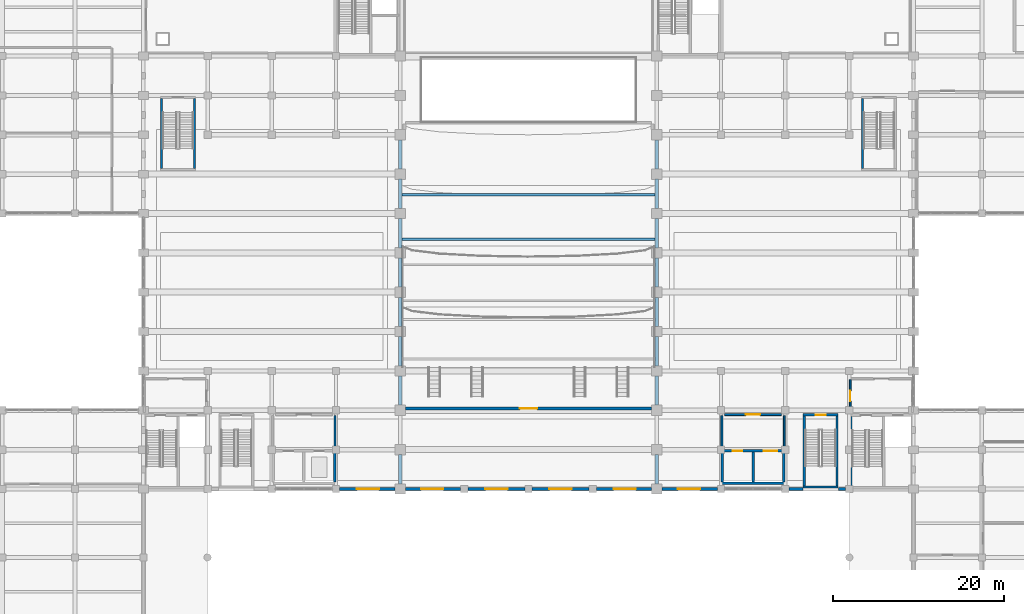
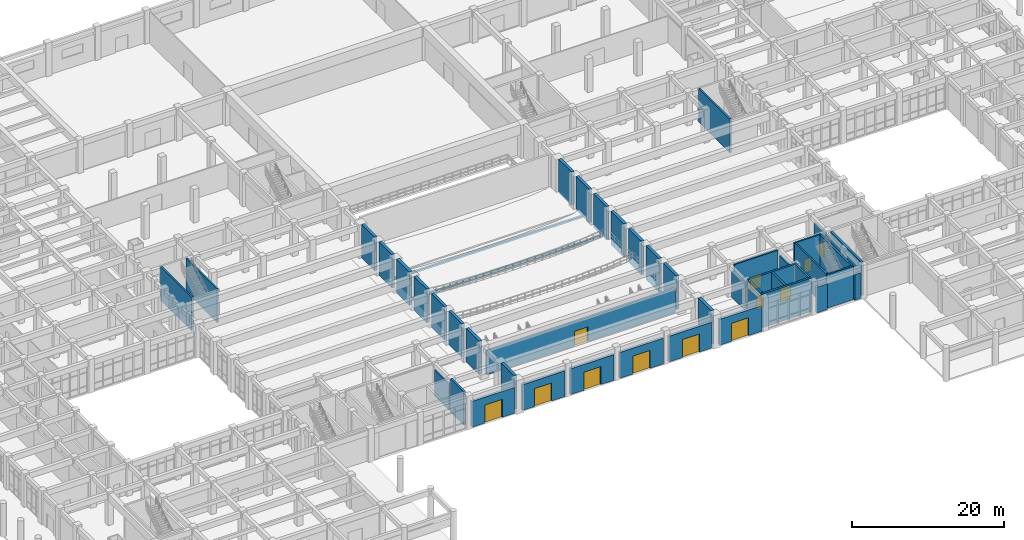
# One storey, part 64 of 84: 46 walls, 12 doors, 12 openings.
"""IFC4 building model written with IfcOpenShell, lengths in metres."""

from ifc_helpers import new_model, si_unit, direction, frame, frame_2d, origin, place, context, subcontext, project, spatial, rectangle, extrude, material, layer, layer_set, type_object, element, fill, save


model = new_model("IFC4")

# Units and contexts
model_context = context("Model", 3, precision=1e-05, world=origin(), true_north=direction((0.0, 1.0)))
body_context = subcontext(model_context, "Body", "Model", "MODEL_VIEW")
ifc_project = project(units=[si_unit("LENGTHUNIT", "METRE"), si_unit("AREAUNIT", "SQUARE_METRE"), si_unit("VOLUMEUNIT", "CUBIC_METRE"), si_unit("PLANEANGLEUNIT", "RADIAN"), si_unit("MASSUNIT", "GRAM", prefix="KILO")], contexts=[model_context])

# Site, building, storey
site_placement = place(None, origin())
site = spatial("IfcSite", under=ifc_project, at=site_placement, CompositionType="ELEMENT")
building_placement = place(site_placement, origin())
building = spatial("IfcBuilding", under=site, at=building_placement, Name="Muzn Square Opera House", CompositionType="ELEMENT")
storey_placement = place(building_placement, origin())
storey = spatial("IfcBuildingStorey", under=building, at=storey_placement, Name="L00", CompositionType="ELEMENT", Elevation=0.0)

# Wall, opening, door
ifc_material_1 = material(Name="Acoustic gypsum stud partition", Category="gypsum")
ifc_layer_1 = layer(ifc_material_1, 0.320068359375, Name="Acoustic gypsum stud partition", Category="gypsum")
ifc_layer_set_1 = layer_set([ifc_layer_1], Name="Acoustic gypsum stud partition")
wall_type_1 = type_object("IfcWallType", Name="Acoustic Studio Double Wall 320mm", PredefinedType="PARTITIONING", material=ifc_layer_set_1)
wall_1_placement = place(storey_placement, frame((73.6201171875, 31.39990234375, 0.0), z_axis=(0.0, 0.0, 1.0), x_axis=(1.0, 0.0, 0.0)))
wall_1 = element("IfcWall", 1, at=wall_1_placement, inside=storey, type_object=wall_type_1, Name="Room Enclosure Partition PW-L00-0095", PredefinedType="PARTITIONING", context=body_context, shape_type="SweptSolid", body=[
    extrude(rectangle(XDim=28.759765625, YDim=0.320068359375, at=frame_2d((14.3798828125, 0.0))), origin(), (0.0, 0.0, 1.0), 3.89990234375),
])
opening_1_placement = place(wall_1_placement, frame((13.3798828125, 0.0, 0.0)))
opening_1 = element("IfcOpeningElement", 2, at=opening_1_placement, cuts=wall_1, Name="Opening DR-AU20", PredefinedType="OPENING", context=body_context, shape_type="SweptSolid", body=[
    extrude(rectangle(XDim=2.0, YDim=2.35009765625, at=frame_2d((1.0, 1.175048828125))), frame((0.0, 0.169921875, 0.0), z_axis=(0.0, -1.0, 0.0), x_axis=(1.0, 0.0, 0.0)), (0.0, 0.0, 1.0), 0.340087890625),
])
ifc_material_2 = material(Name="Acoustic hardwood leaf", Category="wood")
door_type_1 = type_object("IfcDoorType", Name="Auditorium Acoustic Sound-Lock Pair 2000x2350", OperationType="DOUBLE_DOOR_SINGLE_SWING", PredefinedType="DOOR", material=ifc_material_2)
door_1_placement = place(opening_1_placement, origin())
door_1 = element("IfcDoor", 3, at=door_1_placement, inside=storey, type_object=door_type_1, Name="Grand Opera Auditorium Stalls Door DR-L00-0045", OperationType="DOUBLE_DOOR_SINGLE_SWING", OverallHeight=2.35009765625, OverallWidth=2.0, PredefinedType="DOOR", context=body_context, shape_type="SweptSolid", body=[
    extrude(rectangle(XDim=2.0, YDim=2.35009765625, at=frame_2d((1.0, 1.175048828125))), frame((0.0, 0.02490234375, 0.0), z_axis=(0.0, -1.0, 0.0), x_axis=(1.0, 0.0, 0.0)), (0.0, 0.0, 1.0), 0.050048828125),
])
fill(opening_1, door_1)

# Walls
ifc_material_3 = material(Name="Concrete C45/55", Category="concrete")
ifc_layer_2 = layer(ifc_material_3, 0.419921875, Name="Concrete C45/55", Category="concrete")
ifc_layer_set_2 = layer_set([ifc_layer_2], Name="Concrete C45/55")
wall_type_2 = type_object("IfcWallType", Name="Auditorium Acoustic Shear Wall 420mm", PredefinedType="SHEAR", material=ifc_layer_set_2)
for number, where, z_axis, x_axis, name in (
    (4, (73.0, 22.590087890625, 0.0), (0.0, 0.0, 1.0), (0.0, 1.0, 0.0), "Auditorium Acoustic Shear Wall AUDW-L00-W00"),
    (5, (103.0, 22.590087890625, 0.0), (0.0, 0.0, 1.0), (0.0, 1.0, 0.0), "Auditorium Acoustic Shear Wall AUDW-L00-E00"),
    (6, (73.0, 31.7900390625, 0.0), (0.0, 0.0, 1.0), (0.0, 1.0, 0.0), "Auditorium Acoustic Shear Wall AUDW-L00-W02"),
    (7, (103.0, 31.7900390625, 0.0), (0.0, 0.0, 1.0), (0.0, 1.0, 0.0), "Auditorium Acoustic Shear Wall AUDW-L00-E02"),
):
    element("IfcWall", number, at=place(storey_placement, frame(where, z_axis=z_axis, x_axis=x_axis)), inside=storey, type_object=wall_type_2, Name=name, PredefinedType="SHEAR", context=body_context, shape_type="SweptSolid", body=[
        extrude(rectangle(XDim=3.419921875, YDim=0.419921875, at=frame_2d((1.7099609375, 0.0))), origin(), (0.0, 0.0, 1.0), 5.39990234375),
    ])
for number, where, z_axis, x_axis, name in (
    (8, (73.0, 36.389892578125, 0.0), (0.0, 0.0, 1.0), (0.0, 1.0, 0.0), "Auditorium Acoustic Shear Wall AUDW-L00-W03"),
    (9, (103.0, 36.389892578125, 0.0), (0.0, 0.0, 1.0), (0.0, 1.0, 0.0), "Auditorium Acoustic Shear Wall AUDW-L00-E03"),
):
    element("IfcWall", number, at=place(storey_placement, frame(where, z_axis=z_axis, x_axis=x_axis)), inside=storey, type_object=wall_type_2, Name=name, PredefinedType="SHEAR", context=body_context, shape_type="SweptSolid", body=[
        extrude(rectangle(XDim=3.420166015625, YDim=0.419921875, at=frame_2d((1.7099609375, 0.0))), origin(), (0.0, 0.0, 1.0), 5.39990234375),
    ])
for number, where, z_axis, x_axis, name in (
    (10, (73.0, 40.989990234375, 0.0), (0.0, 0.0, 1.0), (0.0, 1.0, 0.0), "Auditorium Acoustic Shear Wall AUDW-L00-W04"),
    (11, (103.0, 40.989990234375, 0.0), (0.0, 0.0, 1.0), (0.0, 1.0, 0.0), "Auditorium Acoustic Shear Wall AUDW-L00-E04"),
    (12, (73.0, 45.590087890625, 0.0), (0.0, 0.0, 1.0), (0.0, 1.0, 0.0), "Auditorium Acoustic Shear Wall AUDW-L00-W05"),
    (13, (103.0, 45.590087890625, 0.0), (0.0, 0.0, 1.0), (0.0, 1.0, 0.0), "Auditorium Acoustic Shear Wall AUDW-L00-E05"),
):
    element("IfcWall", number, at=place(storey_placement, frame(where, z_axis=z_axis, x_axis=x_axis)), inside=storey, type_object=wall_type_2, Name=name, PredefinedType="SHEAR", context=body_context, shape_type="SweptSolid", body=[
        extrude(rectangle(XDim=3.419921875, YDim=0.419921875, at=frame_2d((1.7099609375, 0.0))), origin(), (0.0, 0.0, 1.0), 5.39990234375),
    ])
for number, where, z_axis, x_axis, name in (
    (14, (73.0, 50.18994140625, 0.0), (0.0, 0.0, 1.0), (0.0, 1.0, 0.0), "Auditorium Acoustic Shear Wall AUDW-L00-W06"),
    (15, (103.0, 50.18994140625, 0.0), (0.0, 0.0, 1.0), (0.0, 1.0, 0.0), "Auditorium Acoustic Shear Wall AUDW-L00-E06"),
):
    element("IfcWall", number, at=place(storey_placement, frame(where, z_axis=z_axis, x_axis=x_axis)), inside=storey, type_object=wall_type_2, Name=name, PredefinedType="SHEAR", context=body_context, shape_type="SweptSolid", body=[
        extrude(rectangle(XDim=3.420166015625, YDim=0.419921875, at=frame_2d((1.7099609375, 0.0))), origin(), (0.0, 0.0, 1.0), 5.39990234375),
    ])
for number, where, z_axis, x_axis, name in (
    (16, (73.0, 54.7900390625, 0.0), (0.0, 0.0, 1.0), (0.0, 1.0, 0.0), "Auditorium Acoustic Shear Wall AUDW-L00-W07"),
    (17, (103.0, 54.7900390625, 0.0), (0.0, 0.0, 1.0), (0.0, 1.0, 0.0), "Auditorium Acoustic Shear Wall AUDW-L00-E07"),
):
    element("IfcWall", number, at=place(storey_placement, frame(where, z_axis=z_axis, x_axis=x_axis)), inside=storey, type_object=wall_type_2, Name=name, PredefinedType="SHEAR", context=body_context, shape_type="SweptSolid", body=[
        extrude(rectangle(XDim=3.419921875, YDim=0.419921875, at=frame_2d((1.7099609375, 0.0))), origin(), (0.0, 0.0, 1.0), 5.39990234375),
    ])
for number, where, z_axis, x_axis, name in (
    (18, (73.0, 59.389892578125, 0.0), (0.0, 0.0, 1.0), (0.0, 1.0, 0.0), "Auditorium Acoustic Shear Wall AUDW-L00-W08"),
    (19, (103.0, 59.389892578125, 0.0), (0.0, 0.0, 1.0), (0.0, 1.0, 0.0), "Auditorium Acoustic Shear Wall AUDW-L00-E08"),
):
    element("IfcWall", number, at=place(storey_placement, frame(where, z_axis=z_axis, x_axis=x_axis)), inside=storey, type_object=wall_type_2, Name=name, PredefinedType="SHEAR", context=body_context, shape_type="SweptSolid", body=[
        extrude(rectangle(XDim=3.420166015625, YDim=0.419921875, at=frame_2d((1.7099609375, 0.0))), origin(), (0.0, 0.0, 1.0), 5.39990234375),
    ])
ifc_layer_3 = layer(ifc_material_3, 0.25, Name="Concrete C45/55", Category="concrete")
ifc_layer_set_3 = layer_set([ifc_layer_3], Name="Concrete C45/55")
wall_type_3 = type_object("IfcWallType", Name="Aux Stair Enclosure Wall 250mm", PredefinedType="SHEAR", material=ifc_layer_set_3)
for number, where, z_axis, x_axis, name in (
    (20, (45.125, 59.449951171875, 0.0), (0.0, 0.0, 1.0), (0.0, 1.0, 0.0), "Escape Stair ST-9 Wall W L00"),
    (21, (48.97509765625, 59.449951171875, 0.0), (0.0, 0.0, 1.0), (0.0, 1.0, 0.0), "Escape Stair ST-9 Wall E L00"),
    (22, (127.02490234375, 59.449951171875, 0.0), (0.0, 0.0, 1.0), (0.0, 1.0, 0.0), "Escape Stair ST-10 Wall W L00"),
):
    element("IfcWall", number, at=place(storey_placement, frame(where, z_axis=z_axis, x_axis=x_axis)), inside=storey, type_object=wall_type_3, Name=name, PredefinedType="SHEAR", context=body_context, shape_type="SweptSolid", body=[
        extrude(rectangle(XDim=8.199951171875, YDim=0.25, at=frame_2d((4.10009765625, 0.0))), origin(), (0.0, 0.0, 1.0), 5.39990234375),
    ])
wall_2_placement = place(storey_placement, frame((120.10009765625, 22.22509765625, 0.0), z_axis=(0.0, 0.0, 1.0), x_axis=(1.0, 0.0, 0.0)))
element("IfcWall", 23, at=wall_2_placement, inside=storey, type_object=wall_type_3, Name="Escape Stair ST-12 Wall S L00", PredefinedType="SHEAR", context=body_context, shape_type="SweptSolid", body=[
    extrude(rectangle(XDim=4.099853515625, YDim=0.25, at=frame_2d((2.0498046875, 0.0))), origin(), (0.0, 0.0, 1.0), 5.39990234375),
])
for number, where, z_axis, x_axis, name in (
    (24, (120.22509765625, 22.35009765625, 0.0), (0.0, 0.0, 1.0), (0.0, 1.0, 0.0), "Escape Stair ST-12 Wall W L00"),
    (25, (124.074951171875, 22.35009765625, 0.0), (0.0, 0.0, 1.0), (0.0, 1.0, 0.0), "Escape Stair ST-12 Wall E L00"),
):
    element("IfcWall", number, at=place(storey_placement, frame(where, z_axis=z_axis, x_axis=x_axis)), inside=storey, type_object=wall_type_3, Name=name, PredefinedType="SHEAR", context=body_context, shape_type="SweptSolid", body=[
        extrude(rectangle(XDim=8.199951171875, YDim=0.25, at=frame_2d((4.10009765625, 0.0))), origin(), (0.0, 0.0, 1.0), 5.39990234375),
    ])

# Wall, opening, door
wall_3_placement = place(storey_placement, frame((120.10009765625, 30.675048828125, 0.0), z_axis=(0.0, 0.0, 1.0), x_axis=(1.0, 0.0, 0.0)))
wall_3 = element("IfcWall", 26, at=wall_3_placement, inside=storey, type_object=wall_type_3, Name="Escape Stair ST-12 Wall N L00", PredefinedType="SHEAR", context=body_context, shape_type="SweptSolid", body=[
    extrude(rectangle(XDim=4.099853515625, YDim=0.25, at=frame_2d((2.0498046875, 0.0))), origin(), (0.0, 0.0, 1.0), 5.39990234375),
])
opening_2_placement = place(wall_3_placement, frame((1.449951171875, 0.0, 0.0)))
opening_2 = element("IfcOpeningElement", 27, at=opening_2_placement, cuts=wall_3, Name="Opening DR-ST12", PredefinedType="OPENING", context=body_context, shape_type="SweptSolid", body=[
    extrude(rectangle(XDim=1.199951171875, YDim=2.14990234375, at=frame_2d((0.60009765625, 1.074951171875))), frame((0.0, 0.135009765625, 0.0), z_axis=(0.0, -1.0, 0.0), x_axis=(1.0, 0.0, 0.0)), (0.0, 0.0, 1.0), 0.27001953125),
])
ifc_material_4 = material(Name="Galvanised painted steel leaf", Category="metal")
door_type_2 = type_object("IfcDoorType", Name="Core Stair Fire Door 1200x2150", OperationType="NOTDEFINED", PredefinedType="DOOR", material=ifc_material_4)
door_2_placement = place(opening_2_placement, origin())
door_2 = element("IfcDoor", 28, at=door_2_placement, inside=storey, type_object=door_type_2, Name="Escape Stair ST-12 Door L00", OperationType="SINGLE_SWING_LEFT", OverallHeight=2.14990234375, OverallWidth=1.199951171875, PredefinedType="DOOR", context=body_context, shape_type="SweptSolid", body=[
    extrude(rectangle(XDim=1.199951171875, YDim=2.14990234375, at=frame_2d((0.60009765625, 1.074951171875))), frame((0.0, 0.02490234375, 0.0), z_axis=(0.0, -1.0, 0.0), x_axis=(1.0, 0.0, 0.0)), (0.0, 0.0, 1.0), 0.050048828125),
])
fill(opening_2, door_2)

# Walls
ifc_layer_4 = layer(ifc_material_3, 0.300048828125, Name="Concrete C45/55", Category="concrete")
ifc_layer_set_4 = layer_set([ifc_layer_4], Name="Concrete C45/55")
wall_type_4 = type_object("IfcWallType", Name="Core Shear Wall 300mm", PredefinedType="SHEAR", material=ifc_layer_set_4)
wall_4_placement = place(storey_placement, frame((125.64990234375, 22.300048828125, 0.0), z_axis=(0.0, 0.0, 1.0), x_axis=(0.0, 1.0, 0.0)))
element("IfcWall", 29, at=wall_4_placement, inside=storey, type_object=wall_type_4, Name="Core C4 Shear Wall SW-C4-L00-W", PredefinedType="SHEAR", context=body_context, shape_type="SweptSolid", body=[
    extrude(rectangle(XDim=8.199951171875, YDim=0.300048828125, at=frame_2d((4.10009765625, 0.0))), origin(), (0.0, 0.0, 1.0), 5.39990234375),
])
wall_5_placement = place(storey_placement, frame((65.35009765625, 22.800048828125, 0.0), z_axis=(0.0, 0.0, 1.0), x_axis=(0.0, 1.0, 0.0)))
element("IfcWall", 30, at=wall_5_placement, inside=storey, type_object=wall_type_4, Name="Lift Bank LBW Shear Wall SW-LBW-L00-E", PredefinedType="SHEAR", context=body_context, shape_type="SweptSolid", body=[
    extrude(rectangle(XDim=3.5, YDim=0.300048828125, at=frame_2d((1.75, 0.0))), origin(), (0.0, 0.0, 1.0), 5.39990234375),
])
wall_6_placement = place(storey_placement, frame((110.5, 22.64990234375, 0.0), z_axis=(0.0, 0.0, 1.0), x_axis=(1.0, 0.0, 0.0)))
element("IfcWall", 31, at=wall_6_placement, inside=storey, type_object=wall_type_4, Name="Lift Bank LBE Shear Wall SW-LBE-L00-S", PredefinedType="SHEAR", context=body_context, shape_type="SweptSolid", body=[
    extrude(rectangle(XDim=7.5, YDim=0.300048828125, at=frame_2d((3.75, 0.0))), origin(), (0.0, 0.0, 1.0), 5.39990234375),
])
for number, where, z_axis, x_axis, name in (
    (32, (110.64990234375, 22.800048828125, 0.0), (0.0, 0.0, 1.0), (0.0, 1.0, 0.0), "Lift Bank LBE Shear Wall SW-LBE-L00-W"),
    (33, (117.85009765625, 22.800048828125, 0.0), (0.0, 0.0, 1.0), (0.0, 1.0, 0.0), "Lift Bank LBE Shear Wall SW-LBE-L00-E"),
    (34, (114.25, 22.800048828125, 0.0), (0.0, 0.0, 1.0), (0.0, 1.0, 0.0), "Lift Bank LBE Shear Wall SW-LBE-L00-DIV"),
):
    element("IfcWall", number, at=place(storey_placement, frame(where, z_axis=z_axis, x_axis=x_axis)), inside=storey, type_object=wall_type_4, Name=name, PredefinedType="SHEAR", context=body_context, shape_type="SweptSolid", body=[
        extrude(rectangle(XDim=3.5, YDim=0.300048828125, at=frame_2d((1.75, 0.0))), origin(), (0.0, 0.0, 1.0), 5.39990234375),
    ])
for number, where, z_axis, x_axis, name in (
    (35, (73.199951171875, 51.199951171875, 0.0), (0.0, 0.0, 1.0), (1.0, 0.0, 0.0), "Auditorium Stalls Riser Support Wall 1"),
    (36, (73.199951171875, 56.39990234375, 0.0), (0.0, 0.0, 1.0), (1.0, 0.0, 0.0), "Auditorium Stalls Riser Support Wall 2"),
):
    element("IfcWall", number, at=place(storey_placement, frame(where, z_axis=z_axis, x_axis=x_axis)), inside=storey, type_object=wall_type_4, Name=name, PredefinedType="SHEAR", context=body_context, shape_type="SweptSolid", body=[
        extrude(rectangle(XDim=29.60009765625, YDim=0.300048828125, at=frame_2d((14.800048828125, 0.0))), origin(), (0.0, 0.0, 1.0), 0.300048828125),
    ])

# Wall, openings, doors
wall_7_placement = place(storey_placement, frame((110.5, 26.449951171875, 0.0), z_axis=(0.0, 0.0, 1.0), x_axis=(1.0, 0.0, 0.0)))
wall_7 = element("IfcWall", 37, at=wall_7_placement, inside=storey, type_object=wall_type_4, Name="Lift Bank LBE Front Wall L00", PredefinedType="SHEAR", context=body_context, shape_type="SweptSolid", body=[
    extrude(rectangle(XDim=7.5, YDim=0.300048828125, at=frame_2d((3.75, 0.0))), origin(), (0.0, 0.0, 1.0), 5.39990234375),
])
opening_3_placement = place(wall_7_placement, frame((1.39990234375, 0.0, 0.0)))
opening_3 = element("IfcOpeningElement", 38, at=opening_3_placement, cuts=wall_7, Name="Opening LD-01", PredefinedType="OPENING", context=body_context, shape_type="SweptSolid", body=[
    extrude(rectangle(XDim=1.10009765625, YDim=2.14990234375, at=frame_2d((0.550048828125, 1.074951171875))), frame((0.0, 0.159912109375, 0.0), z_axis=(0.0, -1.0, 0.0), x_axis=(1.0, 0.0, 0.0)), (0.0, 0.0, 1.0), 0.320068359375),
])
opening_4_placement = place(wall_7_placement, frame((5.0, 0.0, 0.0)))
opening_4 = element("IfcOpeningElement", 39, at=opening_4_placement, cuts=wall_7, Name="Opening LD-02", PredefinedType="OPENING", context=body_context, shape_type="SweptSolid", body=[
    extrude(rectangle(XDim=1.60009765625, YDim=2.25, at=frame_2d((0.800048828125, 1.125))), frame((0.0, 0.159912109375, 0.0), z_axis=(0.0, -1.0, 0.0), x_axis=(1.0, 0.0, 0.0)), (0.0, 0.0, 1.0), 0.320068359375),
])
ifc_material_5 = material(Name="Brushed stainless steel", Category="metal")
door_type_3 = type_object("IfcDoorType", Name="Goods Lift Sliding Door 1600x2250", OperationType="SLIDING_TO_LEFT", PredefinedType="DOOR", material=ifc_material_5)
door_3_placement = place(opening_4_placement, origin())
door_3 = element("IfcDoor", 40, at=door_3_placement, inside=storey, type_object=door_type_3, Name="Lift GL-2 Sliding Landing Door L00", OperationType="SLIDING_TO_LEFT", OverallHeight=2.25, OverallWidth=1.60009765625, PredefinedType="DOOR", context=body_context, shape_type="SweptSolid", body=[
    extrude(rectangle(XDim=1.60009765625, YDim=2.25, at=frame_2d((0.800048828125, 1.125))), frame((0.0, 0.02490234375, 0.0), z_axis=(0.0, -1.0, 0.0), x_axis=(1.0, 0.0, 0.0)), (0.0, 0.0, 1.0), 0.050048828125),
])
fill(opening_4, door_3)
door_type_4 = type_object("IfcDoorType", Name="Lift Landing Sliding Door 1100x2150", OperationType="SLIDING_TO_LEFT", PredefinedType="DOOR", material=ifc_material_5)
door_4_placement = place(opening_3_placement, origin())
door_4 = element("IfcDoor", 41, at=door_4_placement, inside=storey, type_object=door_type_4, Name="Lift PL-4 Sliding Landing Door L00", OperationType="SLIDING_TO_LEFT", OverallHeight=2.14990234375, OverallWidth=1.10009765625, PredefinedType="DOOR", context=body_context, shape_type="SweptSolid", body=[
    extrude(rectangle(XDim=1.10009765625, YDim=2.14990234375, at=frame_2d((0.550048828125, 1.074951171875))), frame((0.0, 0.02490234375, 0.0), z_axis=(0.0, -1.0, 0.0), x_axis=(1.0, 0.0, 0.0)), (0.0, 0.0, 1.0), 0.050048828125),
])
fill(opening_3, door_4)

# Walls
ifc_material_6 = material(Name="Concrete C40/50", Category="concrete")
ifc_layer_5 = layer(ifc_material_6, 0.340087890625, Name="Concrete C40/50", Category="concrete")
ifc_layer_set_5 = layer_set([ifc_layer_5], Name="Concrete C40/50")
wall_type_5 = type_object("IfcWallType", Name="Exterior Insulated Spandrel Wall 340mm", PredefinedType="SOLIDWALL", material=ifc_layer_set_5)
wall_8_placement = place(storey_placement, frame((118.425048828125, 22.0, 0.0), z_axis=(0.0, 0.0, 1.0), x_axis=(1.0, 0.0, 0.0)))
element("IfcWall", 42, at=wall_8_placement, inside=storey, type_object=wall_type_5, Name="Exterior Facade Wall EW-L00-132", PredefinedType="SOLIDWALL", context=body_context, shape_type="SweptSolid", body=[
    extrude(rectangle(XDim=1.655029296875, YDim=0.340087890625, at=frame_2d((0.82763671875, 0.0))), origin(), (0.0, 0.0, 1.0), 4.14990234375),
])
wall_9_placement = place(storey_placement, frame((124.219970703125, 22.0, 0.0), z_axis=(0.0, 0.0, 1.0), x_axis=(1.0, 0.0, 0.0)))
element("IfcWall", 43, at=wall_9_placement, inside=storey, type_object=wall_type_5, Name="Exterior Facade Wall EW-L00-132", PredefinedType="SOLIDWALL", context=body_context, shape_type="SweptSolid", body=[
    extrude(rectangle(XDim=0.85498046875, YDim=0.340087890625, at=frame_2d((0.427490234375, 0.0))), origin(), (0.0, 0.0, 1.0), 4.14990234375),
])

# Wall, opening, door
ifc_layer_6 = layer(ifc_material_6, 0.3798828125, Name="Concrete C40/50", Category="concrete")
ifc_layer_set_6 = layer_set([ifc_layer_6], Name="Concrete C40/50")
wall_type_6 = type_object("IfcWallType", Name="Exterior Limestone Wall 380mm", PredefinedType="SOLIDWALL", material=ifc_layer_set_6)
wall_10_placement = place(storey_placement, frame((73.60009765625, 22.0, 0.0), z_axis=(0.0, 0.0, 1.0), x_axis=(1.0, 0.0, 0.0)))
wall_10 = element("IfcWall", 44, at=wall_10_placement, inside=storey, type_object=wall_type_6, Name="Exterior Facade Wall EW-L00-001", PredefinedType="SOLIDWALL", context=body_context, shape_type="SweptSolid", body=[
    extrude(rectangle(XDim=6.474853515625, YDim=0.3798828125, at=frame_2d((3.2373046875, 0.0))), origin(), (0.0, 0.0, 1.0), 4.14990234375),
])
opening_5_placement = place(wall_10_placement, frame((4.4501953125, 0.0, 0.0), z_axis=(0.0, 0.0, 1.0), x_axis=(-1.0, 0.0, 0.0)))
opening_5 = element("IfcOpeningElement", 45, at=opening_5_placement, cuts=wall_10, Name="Opening DR-ME26", PredefinedType="OPENING", context=body_context, shape_type="SweptSolid", body=[
    extrude(rectangle(XDim=2.60009765625, YDim=2.89990234375, at=frame_2d((1.300048828125, 1.449951171875))), frame((0.0, 0.199951171875, 0.0), z_axis=(0.0, -1.0, 0.0), x_axis=(1.0, 0.0, 0.0)), (0.0, 0.0, 1.0), 0.39990234375),
])
ifc_material_7 = material(Name="Anodised bronze aluminium", Category="metal")
door_type_5 = type_object("IfcDoorType", Name="Main Entrance Double Portal 2600x2900", OperationType="DOUBLE_DOOR_SINGLE_SWING", PredefinedType="DOOR", material=ifc_material_7)
door_5_placement = place(opening_5_placement, origin())
door_5 = element("IfcDoor", 46, at=door_5_placement, inside=storey, type_object=door_type_5, Name="Main Entrance Portal Centre-1 E-01", OperationType="DOUBLE_DOOR_SINGLE_SWING", OverallHeight=2.89990234375, OverallWidth=2.60009765625, PredefinedType="DOOR", context=body_context, shape_type="SweptSolid", body=[
    extrude(rectangle(XDim=2.60009765625, YDim=2.89990234375, at=frame_2d((1.300048828125, 1.449951171875))), frame((0.0, 0.02490234375, 0.0), z_axis=(0.0, -1.0, 0.0), x_axis=(1.0, 0.0, 0.0)), (0.0, 0.0, 1.0), 0.050048828125),
])
fill(opening_5, door_5)

wall_11_placement = place(storey_placement, frame((80.925048828125, 22.0, 0.0), z_axis=(0.0, 0.0, 1.0), x_axis=(1.0, 0.0, 0.0)))
wall_11 = element("IfcWall", 47, at=wall_11_placement, inside=storey, type_object=wall_type_6, Name="Exterior Facade Wall EW-L00-002", PredefinedType="SOLIDWALL", context=body_context, shape_type="SweptSolid", body=[
    extrude(rectangle(XDim=6.64990234375, YDim=0.3798828125, at=frame_2d((3.324951171875, 0.0))), origin(), (0.0, 0.0, 1.0), 4.14990234375),
])
opening_6_placement = place(wall_11_placement, frame((4.625, 0.0, 0.0), z_axis=(0.0, 0.0, 1.0), x_axis=(-1.0, 0.0, 0.0)))
opening_6 = element("IfcOpeningElement", 48, at=opening_6_placement, cuts=wall_11, Name="Opening DR-ME26", PredefinedType="OPENING", context=body_context, shape_type="SweptSolid", body=[
    extrude(rectangle(XDim=2.60009765625, YDim=2.89990234375, at=frame_2d((1.300048828125, 1.449951171875))), frame((0.0, 0.199951171875, 0.0), z_axis=(0.0, -1.0, 0.0), x_axis=(1.0, 0.0, 0.0)), (0.0, 0.0, 1.0), 0.39990234375),
])
door_6_placement = place(opening_6_placement, origin())
door_6 = element("IfcDoor", 49, at=door_6_placement, inside=storey, type_object=door_type_5, Name="Main Entrance Portal Centre-2 E-02", OperationType="DOUBLE_DOOR_SINGLE_SWING", OverallHeight=2.89990234375, OverallWidth=2.60009765625, PredefinedType="DOOR", context=body_context, shape_type="SweptSolid", body=[
    extrude(rectangle(XDim=2.60009765625, YDim=2.89990234375, at=frame_2d((1.300048828125, 1.449951171875))), frame((0.0, 0.02490234375, 0.0), z_axis=(0.0, -1.0, 0.0), x_axis=(1.0, 0.0, 0.0)), (0.0, 0.0, 1.0), 0.050048828125),
])
fill(opening_6, door_6)

wall_12_placement = place(storey_placement, frame((88.425048828125, 22.0, 0.0), z_axis=(0.0, 0.0, 1.0), x_axis=(1.0, 0.0, 0.0)))
wall_12 = element("IfcWall", 50, at=wall_12_placement, inside=storey, type_object=wall_type_6, Name="Exterior Facade Wall EW-L00-003", PredefinedType="SOLIDWALL", context=body_context, shape_type="SweptSolid", body=[
    extrude(rectangle(XDim=6.64990234375, YDim=0.3798828125, at=frame_2d((3.324951171875, 0.0))), origin(), (0.0, 0.0, 1.0), 4.14990234375),
])
opening_7_placement = place(wall_12_placement, frame((4.625, 0.0, 0.0), z_axis=(0.0, 0.0, 1.0), x_axis=(-1.0, 0.0, 0.0)))
opening_7 = element("IfcOpeningElement", 51, at=opening_7_placement, cuts=wall_12, Name="Opening DR-ME26", PredefinedType="OPENING", context=body_context, shape_type="SweptSolid", body=[
    extrude(rectangle(XDim=2.60009765625, YDim=2.89990234375, at=frame_2d((1.300048828125, 1.449951171875))), frame((0.0, 0.199951171875, 0.0), z_axis=(0.0, -1.0, 0.0), x_axis=(1.0, 0.0, 0.0)), (0.0, 0.0, 1.0), 0.39990234375),
])
door_7_placement = place(opening_7_placement, origin())
door_7 = element("IfcDoor", 52, at=door_7_placement, inside=storey, type_object=door_type_5, Name="Main Entrance Portal Centre-3 E-03", OperationType="DOUBLE_DOOR_SINGLE_SWING", OverallHeight=2.89990234375, OverallWidth=2.60009765625, PredefinedType="DOOR", context=body_context, shape_type="SweptSolid", body=[
    extrude(rectangle(XDim=2.60009765625, YDim=2.89990234375, at=frame_2d((1.300048828125, 1.449951171875))), frame((0.0, 0.02490234375, 0.0), z_axis=(0.0, -1.0, 0.0), x_axis=(1.0, 0.0, 0.0)), (0.0, 0.0, 1.0), 0.050048828125),
])
fill(opening_7, door_7)

wall_13_placement = place(storey_placement, frame((95.925048828125, 22.0, 0.0), z_axis=(0.0, 0.0, 1.0), x_axis=(1.0, 0.0, 0.0)))
wall_13 = element("IfcWall", 53, at=wall_13_placement, inside=storey, type_object=wall_type_6, Name="Exterior Facade Wall EW-L00-004", PredefinedType="SOLIDWALL", context=body_context, shape_type="SweptSolid", body=[
    extrude(rectangle(XDim=6.474853515625, YDim=0.3798828125, at=frame_2d((3.2373046875, 0.0))), origin(), (0.0, 0.0, 1.0), 4.14990234375),
])
opening_8_placement = place(wall_13_placement, frame((4.625, 0.0, 0.0), z_axis=(0.0, 0.0, 1.0), x_axis=(-1.0, 0.0, 0.0)))
opening_8 = element("IfcOpeningElement", 54, at=opening_8_placement, cuts=wall_13, Name="Opening DR-ME26", PredefinedType="OPENING", context=body_context, shape_type="SweptSolid", body=[
    extrude(rectangle(XDim=2.60009765625, YDim=2.89990234375, at=frame_2d((1.300048828125, 1.449951171875))), frame((0.0, 0.199951171875, 0.0), z_axis=(0.0, -1.0, 0.0), x_axis=(1.0, 0.0, 0.0)), (0.0, 0.0, 1.0), 0.39990234375),
])
door_8_placement = place(opening_8_placement, origin())
door_8 = element("IfcDoor", 55, at=door_8_placement, inside=storey, type_object=door_type_5, Name="Main Entrance Portal Centre-4 E-04", OperationType="DOUBLE_DOOR_SINGLE_SWING", OverallHeight=2.89990234375, OverallWidth=2.60009765625, PredefinedType="DOOR", context=body_context, shape_type="SweptSolid", body=[
    extrude(rectangle(XDim=2.60009765625, YDim=2.89990234375, at=frame_2d((1.300048828125, 1.449951171875))), frame((0.0, 0.02490234375, 0.0), z_axis=(0.0, -1.0, 0.0), x_axis=(1.0, 0.0, 0.0)), (0.0, 0.0, 1.0), 0.050048828125),
])
fill(opening_8, door_8)

wall_14_placement = place(storey_placement, frame((65.925048828125, 22.0, 0.0), z_axis=(0.0, 0.0, 1.0), x_axis=(1.0, 0.0, 0.0)))
wall_14 = element("IfcWall", 56, at=wall_14_placement, inside=storey, type_object=wall_type_6, Name="Exterior Facade Wall EW-L00-027", PredefinedType="SOLIDWALL", context=body_context, shape_type="SweptSolid", body=[
    extrude(rectangle(XDim=6.474853515625, YDim=0.3798828125, at=frame_2d((3.2373046875, 0.0))), origin(), (0.0, 0.0, 1.0), 4.14990234375),
])
opening_9_placement = place(wall_14_placement, frame((4.625, 0.0, 0.0), z_axis=(0.0, 0.0, 1.0), x_axis=(-1.0, 0.0, 0.0)))
opening_9 = element("IfcOpeningElement", 57, at=opening_9_placement, cuts=wall_14, Name="Opening DR-ME26", PredefinedType="OPENING", context=body_context, shape_type="SweptSolid", body=[
    extrude(rectangle(XDim=2.60009765625, YDim=2.89990234375, at=frame_2d((1.300048828125, 1.449951171875))), frame((0.0, 0.199951171875, 0.0), z_axis=(0.0, -1.0, 0.0), x_axis=(1.0, 0.0, 0.0)), (0.0, 0.0, 1.0), 0.39990234375),
])
door_9_placement = place(opening_9_placement, origin())
door_9 = element("IfcDoor", 58, at=door_9_placement, inside=storey, type_object=door_type_5, Name="Main Entrance Portal West-2 E-07", OperationType="DOUBLE_DOOR_SINGLE_SWING", OverallHeight=2.89990234375, OverallWidth=2.60009765625, PredefinedType="DOOR", context=body_context, shape_type="SweptSolid", body=[
    extrude(rectangle(XDim=2.60009765625, YDim=2.89990234375, at=frame_2d((1.300048828125, 1.449951171875))), frame((0.0, 0.02490234375, 0.0), z_axis=(0.0, -1.0, 0.0), x_axis=(1.0, 0.0, 0.0)), (0.0, 0.0, 1.0), 0.050048828125),
])
fill(opening_9, door_9)

wall_15_placement = place(storey_placement, frame((103.60009765625, 22.0, 0.0), z_axis=(0.0, 0.0, 1.0), x_axis=(1.0, 0.0, 0.0)))
wall_15 = element("IfcWall", 59, at=wall_15_placement, inside=storey, type_object=wall_type_6, Name="Exterior Facade Wall EW-L00-028", PredefinedType="SOLIDWALL", context=body_context, shape_type="SweptSolid", body=[
    extrude(rectangle(XDim=6.474853515625, YDim=0.3798828125, at=frame_2d((3.2373046875, 0.0))), origin(), (0.0, 0.0, 1.0), 4.14990234375),
])
opening_10_placement = place(wall_15_placement, frame((4.4501953125, 0.0, 0.0), z_axis=(0.0, 0.0, 1.0), x_axis=(-1.0, 0.0, 0.0)))
opening_10 = element("IfcOpeningElement", 60, at=opening_10_placement, cuts=wall_15, Name="Opening DR-ME26", PredefinedType="OPENING", context=body_context, shape_type="SweptSolid", body=[
    extrude(rectangle(XDim=2.60009765625, YDim=2.89990234375, at=frame_2d((1.300048828125, 1.449951171875))), frame((0.0, 0.199951171875, 0.0), z_axis=(0.0, -1.0, 0.0), x_axis=(1.0, 0.0, 0.0)), (0.0, 0.0, 1.0), 0.39990234375),
])
door_10_placement = place(opening_10_placement, origin())
door_10 = element("IfcDoor", 61, at=door_10_placement, inside=storey, type_object=door_type_5, Name="Main Entrance Portal East-2 E-08", OperationType="DOUBLE_DOOR_SINGLE_SWING", OverallHeight=2.89990234375, OverallWidth=2.60009765625, PredefinedType="DOOR", context=body_context, shape_type="SweptSolid", body=[
    extrude(rectangle(XDim=2.60009765625, YDim=2.89990234375, at=frame_2d((1.300048828125, 1.449951171875))), frame((0.0, 0.02490234375, 0.0), z_axis=(0.0, -1.0, 0.0), x_axis=(1.0, 0.0, 0.0)), (0.0, 0.0, 1.0), 0.050048828125),
])
fill(opening_10, door_10)

ifc_layer_7 = layer(ifc_material_6, 0.219970703125, Name="Concrete C40/50", Category="concrete")
ifc_layer_set_7 = layer_set([ifc_layer_7], Name="Concrete C40/50")
wall_type_7 = type_object("IfcWallType", Name="Lift Lobby Wall 220mm", PredefinedType="SOLIDWALL", material=ifc_layer_set_7)
wall_16_placement = place(storey_placement, frame((125.610107421875, 30.949951171875, 0.0), z_axis=(0.0, 0.0, 1.0), x_axis=(0.0, 1.0, 0.0)))
wall_16 = element("IfcWall", 62, at=wall_16_placement, inside=storey, type_object=wall_type_7, Name="Lobby C4 Side Wall W L00", PredefinedType="SOLIDWALL", context=body_context, shape_type="SweptSolid", body=[
    extrude(rectangle(XDim=3.830078125, YDim=0.219970703125, at=frame_2d((1.9150390625, 0.0))), origin(), (0.0, 0.0, 1.0), 4.199951171875),
])
opening_11_placement = place(wall_16_placement, frame((1.31494140625, 0.0, 0.0)))
opening_11 = element("IfcOpeningElement", 63, at=opening_11_placement, cuts=wall_16, Name="Opening DR-ST12", PredefinedType="OPENING", context=body_context, shape_type="SweptSolid", body=[
    extrude(rectangle(XDim=1.199951171875, YDim=2.14990234375, at=frame_2d((0.60009765625, 1.074951171875))), frame((0.0, 0.119873046875, 0.0), z_axis=(0.0, -1.0, 0.0), x_axis=(1.0, 0.0, 0.0)), (0.0, 0.0, 1.0), 0.239990234375),
])
door_11_placement = place(opening_11_placement, origin())
door_11 = element("IfcDoor", 64, at=door_11_placement, inside=storey, type_object=door_type_2, Name="Lobby C4 Side Door W L00", OperationType="SINGLE_SWING_RIGHT", OverallHeight=2.14990234375, OverallWidth=1.199951171875, PredefinedType="DOOR", context=body_context, shape_type="SweptSolid", body=[
    extrude(rectangle(XDim=1.199951171875, YDim=2.14990234375, at=frame_2d((0.60009765625, 1.074951171875))), frame((0.0, 0.02490234375, 0.0), z_axis=(0.0, -1.0, 0.0), x_axis=(1.0, 0.0, 0.0)), (0.0, 0.0, 1.0), 0.050048828125),
])
fill(opening_11, door_11)

# Wall
wall_17_placement = place(storey_placement, frame((65.389892578125, 26.75, 0.0), z_axis=(0.0, 0.0, 1.0), x_axis=(0.0, 1.0, 0.0)))
element("IfcWall", 65, at=wall_17_placement, inside=storey, type_object=wall_type_7, Name="Lift Lobby LBW Side Wall E L00", PredefinedType="SOLIDWALL", context=body_context, shape_type="SweptSolid", body=[
    extrude(rectangle(XDim=3.830078125, YDim=0.219970703125, at=frame_2d((1.9150390625, 0.0))), origin(), (0.0, 0.0, 1.0), 4.199951171875),
])

# Wall, opening, door
wall_18_placement = place(storey_placement, frame((110.93994140625, 30.68994140625, 0.0), z_axis=(0.0, 0.0, 1.0), x_axis=(1.0, 0.0, 0.0)))
wall_18 = element("IfcWall", 66, at=wall_18_placement, inside=storey, type_object=wall_type_7, Name="Lift Lobby LBE Wall L00", PredefinedType="SOLIDWALL", context=body_context, shape_type="SweptSolid", body=[
    extrude(rectangle(XDim=6.6201171875, YDim=0.219970703125, at=frame_2d((3.31005859375, 0.0))), origin(), (0.0, 0.0, 1.0), 5.10009765625),
])
opening_12_placement = place(wall_18_placement, frame((2.4599609375, 0.0, 0.0)))
opening_12 = element("IfcOpeningElement", 67, at=opening_12_placement, cuts=wall_18, Name="Opening DR-LL17", PredefinedType="OPENING", context=body_context, shape_type="SweptSolid", body=[
    extrude(rectangle(XDim=1.699951171875, YDim=2.179931640625, at=frame_2d((0.85009765625, 1.08984375))), frame((0.0, 0.119873046875, 0.0), z_axis=(0.0, -1.0, 0.0), x_axis=(1.0, 0.0, 0.0)), (0.0, 0.0, 1.0), 0.239990234375),
])
door_type_6 = type_object("IfcDoorType", Name="Lift Lobby Double Door 1700x2180", OperationType="DOUBLE_DOOR_SINGLE_SWING", PredefinedType="DOOR", material=ifc_material_2)
door_12_placement = place(opening_12_placement, origin())
door_12 = element("IfcDoor", 68, at=door_12_placement, inside=storey, type_object=door_type_6, Name="Lift Lobby LBE Door L00", OperationType="DOUBLE_DOOR_SINGLE_SWING", OverallHeight=2.179931640625, OverallWidth=1.699951171875, PredefinedType="DOOR", context=body_context, shape_type="SweptSolid", body=[
    extrude(rectangle(XDim=1.699951171875, YDim=2.179931640625, at=frame_2d((0.85009765625, 1.08984375))), frame((0.0, 0.02490234375, 0.0), z_axis=(0.0, -1.0, 0.0), x_axis=(1.0, 0.0, 0.0)), (0.0, 0.0, 1.0), 0.050048828125),
])
fill(opening_12, door_12)

# Walls
for number, where, z_axis, x_axis, name in (
    (69, (110.610107421875, 26.75, 0.0), (0.0, 0.0, 1.0), (0.0, 1.0, 0.0), "Lift Lobby LBE Side Wall W L00"),
    (70, (117.889892578125, 26.75, 0.0), (0.0, 0.0, 1.0), (0.0, 1.0, 0.0), "Lift Lobby LBE Side Wall E L00"),
):
    element("IfcWall", number, at=place(storey_placement, frame(where, z_axis=z_axis, x_axis=x_axis)), inside=storey, type_object=wall_type_7, Name=name, PredefinedType="SOLIDWALL", context=body_context, shape_type="SweptSolid", body=[
        extrude(rectangle(XDim=3.830078125, YDim=0.219970703125, at=frame_2d((1.9150390625, 0.0))), origin(), (0.0, 0.0, 1.0), 4.199951171875),
    ])

save(model, "model.ifc")
